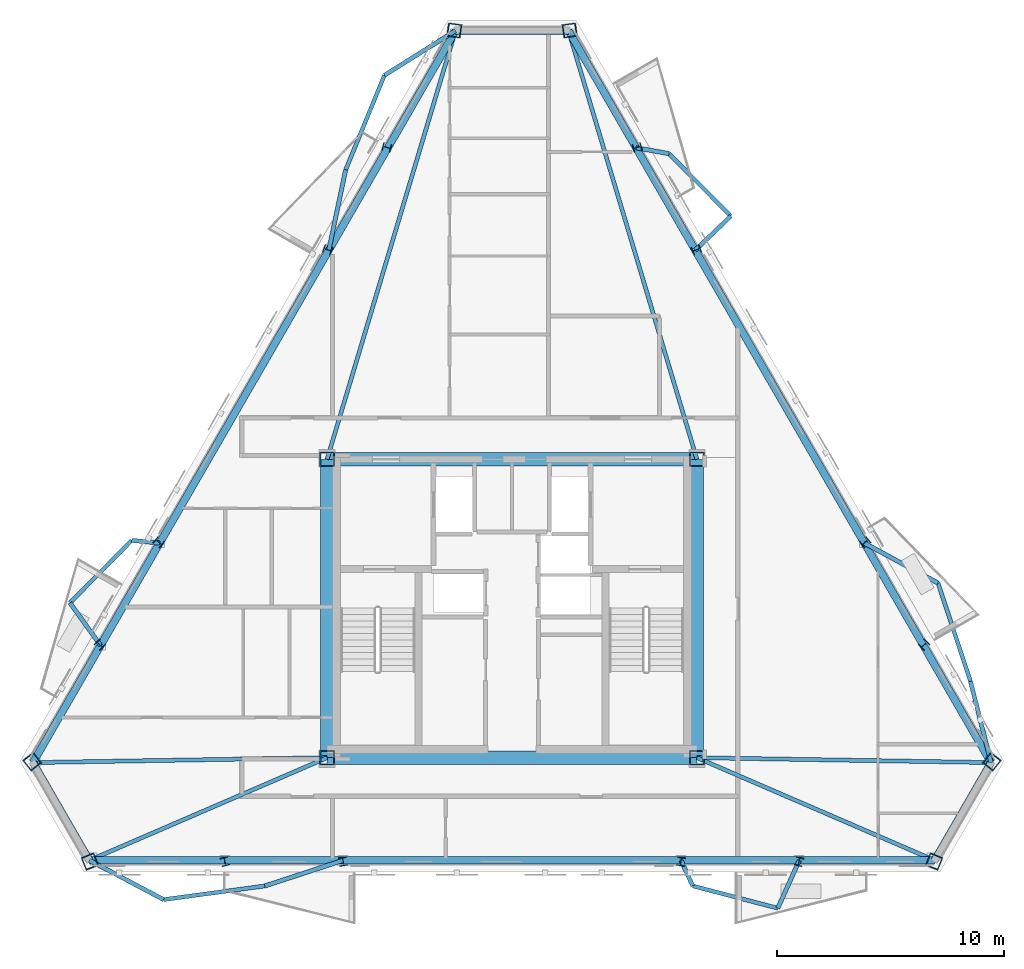
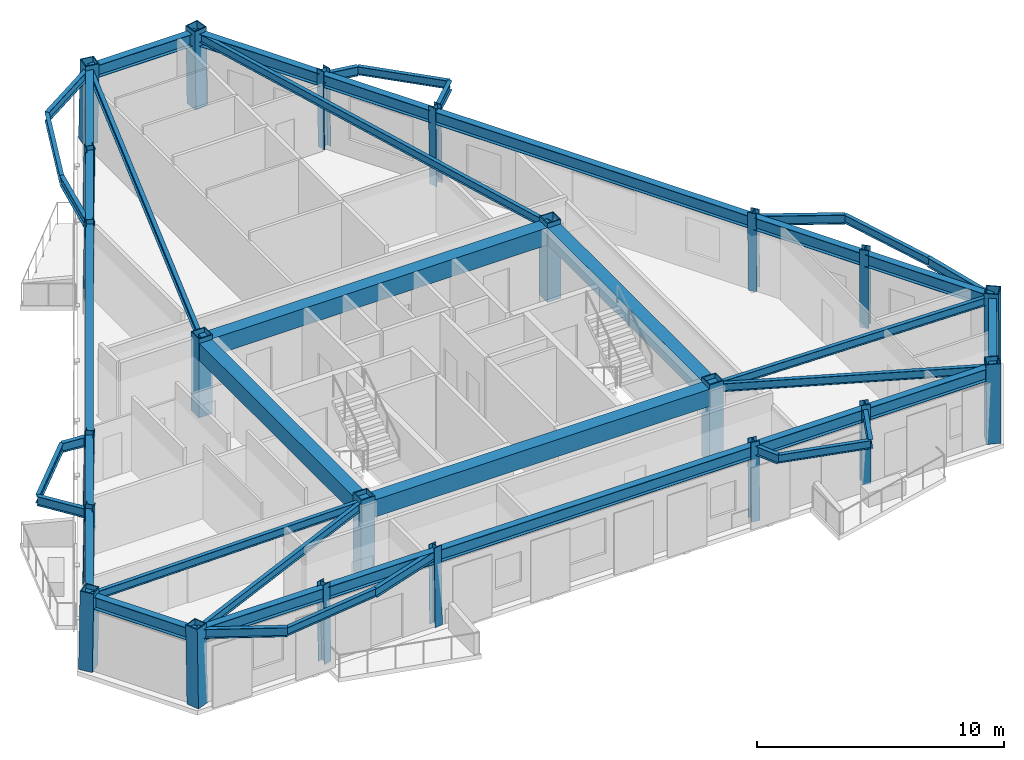
# One storey, part 1 of 9: 46 beams, 22 columns.
"""IFC4 building model written with IfcOpenShell, lengths in metres."""

from ifc_helpers import new_model, si_unit, direction, frame, origin, origin_2d, place, context, subcontext, project, spatial, rectangle, hollow_rectangle, i_section, extrude, material, material_profile, profile_set, type_object, element, save


model = new_model("IFC4")

# Units and contexts
model_context = context("Model", 3, precision=1e-05, world=origin(), true_north=direction((0.0, 1.0)))
body_context = subcontext(model_context, "Body", "Model", "MODEL_VIEW")
ifc_project = project(units=[si_unit("LENGTHUNIT", "METRE"), si_unit("AREAUNIT", "SQUARE_METRE"), si_unit("VOLUMEUNIT", "CUBIC_METRE"), si_unit("PLANEANGLEUNIT", "RADIAN"), si_unit("MASSUNIT", "GRAM", prefix="KILO")], contexts=[model_context])

# Site, building, storey
site_placement = place(None, origin())
site = spatial("IfcSite", under=ifc_project, at=site_placement, CompositionType="ELEMENT")
building_placement = place(site_placement, origin())
building = spatial("IfcBuilding", under=site, at=building_placement, Name="Oramaril Tower", CompositionType="ELEMENT")
storey_placement = place(building_placement, frame((0.0, 0.0, 261.60009765625)))
storey = spatial("IfcBuildingStorey", under=building, at=storey_placement, Name="L69", CompositionType="ELEMENT", Elevation=261.60009765625)

# Columns
ifc_material_1 = material(Name="Steel ASTM A572 Gr 50", Category="steel")
ifc_material_profile_1 = material_profile(ifc_material_1, hollow_rectangle(XDim=0.64990234375, YDim=0.64990234375, WallThickness=0.050048828125, at=origin_2d()), Name="BOX650X650X50")
ifc_profile_set_1 = profile_set([ifc_material_profile_1], Name="Steel ASTM A572 Gr 50")
column_type_1 = type_object("IfcColumnType", Name="CT-CC5", PredefinedType="COLUMN", material=ifc_profile_set_1)
for number, where, z_axis, x_axis, name in (
    (1, (29.35009765625, 11.0, 0.0), (0.0, 0.0, 1.0), (1.0, 0.0, 0.0), "L69 Core Column CC-1"),
    (2, (45.64990234375, 11.0, 0.0), (0.0, 0.0, 1.0), (1.0, 0.0, 0.0), "L69 Core Column CC-2"),
    (3, (45.64990234375, 24.14990234375, 0.0), (0.0, 0.0, 1.0), (1.0, 0.0, 0.0), "L69 Core Column CC-3"),
    (4, (29.35009765625, 24.14990234375, 0.0), (0.0, 0.0, 1.0), (1.0, 0.0, 0.0), "L69 Core Column CC-4"),
):
    element("IfcColumn", number, at=place(storey_placement, frame(where, z_axis=z_axis, x_axis=x_axis)), inside=storey, type_object=column_type_1, Name=name, PredefinedType="COLUMN", context=body_context, shape_type="SweptSolid", body=[
        extrude(hollow_rectangle(XDim=0.64990234375, YDim=0.64990234375, WallThickness=0.050048828125, at=origin_2d()), origin(), (0.0, 0.0, 1.0), 3.89990234375),
    ])
ifc_material_2 = material(Name="Steel ASTM A572 Gr 50", Category="steel")
ifc_material_profile_2 = material_profile(ifc_material_2, hollow_rectangle(XDim=0.60009765625, YDim=0.60009765625, WallThickness=0.044921875, at=origin_2d()), Name="BOX600X600X45")
ifc_profile_set_2 = profile_set([ifc_material_profile_2], Name="Steel ASTM A572 Gr 50")
column_type_2 = type_object("IfcColumnType", Name="CT-TC5", PredefinedType="COLUMN", material=ifc_profile_set_2)
for number, where, z_axis, x_axis, name in (
    (5, (16.347900390625, 10.834716796875, 0.00439453125), (0.010351171799, -0.013111484278, 0.999860461376), (0.784882765533, 0.619644288579, 0.0), "L69 Tube Column TC-01"),
    (6, (18.89990234375, 6.414306640625, 0.00439453125), (-0.006147966261, 0.015558118701, 0.999860063936), (-0.930020344418, -0.367508039326, 0.0), "L69 Tube Column TC-02"),
    (7, (56.10009765625, 6.414306640625, 0.00439453125), (0.006147966261, 0.015558118701, 0.999860063936), (-0.930020344418, 0.367508039326, 0.0), "L69 Tube Column TC-03"),
    (8, (58.652099609375, 10.834716796875, 0.00439453125), (-0.010351171799, -0.013111484278, 0.999860461376), (0.784882765533, -0.619644288579, 0.0), "L69 Tube Column TC-04"),
    (9, (40.052001953125, 43.05078125, 0.00439453125), (-0.016499150016, -0.002383907607, 0.999861037861), (0.143001721329, -0.989722439726, 0.0), "L69 Tube Column TC-05"),
    (10, (34.947998046875, 43.05078125, 0.00439453125), (0.016499150016, -0.002383907607, 0.999861037861), (0.143001721329, 0.989722439726, 0.0), "L69 Tube Column TC-06"),
):
    element("IfcColumn", number, at=place(storey_placement, frame(where, z_axis=z_axis, x_axis=x_axis)), inside=storey, type_object=column_type_2, Name=name, PredefinedType="COLUMN", context=body_context, shape_type="SweptSolid", body=[
        extrude(hollow_rectangle(XDim=0.60009765625, YDim=0.60009765625, WallThickness=0.044921875, at=origin_2d()), origin(), (0.0, 0.0, 1.0), 3.8916015625),
    ])
ifc_material_3 = material(Name="Steel ASTM A572 Gr 50", Category="steel")
ifc_material_profile_3 = material_profile(ifc_material_3, i_section(OverallWidth=0.373046875, OverallDepth=0.373046875, WebThickness=0.016357421875, FlangeThickness=0.026123046875, at=origin_2d()), Name="W14X132")
ifc_profile_set_3 = profile_set([ifc_material_profile_3], Name="Steel ASTM A572 Gr 50")
column_type_3 = type_object("IfcColumnType", Name="CT-TF5", PredefinedType="COLUMN", material=ifc_profile_set_3)
for number, where, z_axis, x_axis, name in (
    (11, (24.85205078125, 6.414306640625, 0.00439453125), (-0.00420324373, 0.0155582753, 0.999870127973), (-0.965389887036, -0.260810977546, 0.0), "L69 Tube Column TC-07"),
    (12, (30.06005859375, 6.414306640625, 0.00439453125), (-0.002509413508, 0.015558363751, 0.999875812369), (-0.987241120713, -0.159232438825, 0.0), "L69 Tube Column TC-08"),
    (13, (44.93994140625, 6.414306640625, 0.00439453125), (0.002509413508, 0.015558363751, 0.999875812369), (-0.987241120713, 0.159232438825, 0.0), "L69 Tube Column TC-09"),
    (14, (50.14794921875, 6.414306640625, 0.00439453125), (0.00420324373, 0.0155582753, 0.999870127973), (-0.965389887036, 0.260810977546, 0.0), "L69 Tube Column TC-10"),
    (15, (55.676025390625, 15.9892578125, 0.00439453125), (-0.011355033983, -0.011417768978, 0.999870340472), (0.709052043245, -0.705156152898, 0.0), "L69 Tube Column TC-11"),
    (16, (53.072021484375, 20.49951171875, 0.00439453125), (-0.012170667586, -0.009912193189, 0.99987680405), (0.631495005912, -0.775379943968, 0.0), "L69 Tube Column TC-12"),
    (17, (45.632080078125, 33.385986328125, 0.00439453125), (-0.014680081359, -0.005583449748, 0.999876652543), (0.355496972179, -0.934677432471, 0.0), "L69 Tube Column TC-13"),
    (18, (43.028076171875, 37.896240234375, 0.00439453125), (-0.015558283383, -0.004077775887, 0.999870647415), (0.253533203615, -0.967326684562, 0.0), "L69 Tube Column TC-14"),
    (19, (31.971923828125, 37.896240234375, 0.00439453125), (0.015558283383, -0.004077775887, 0.999870647415), (0.253533203615, 0.967326684562, 0.0), "L69 Tube Column TC-15"),
    (20, (29.367919921875, 33.385986328125, 0.00439453125), (0.014680081359, -0.005583449748, 0.999876652543), (0.355496972179, 0.934677432471, 0.0), "L69 Tube Column TC-16"),
    (21, (21.927978515625, 20.49951171875, 0.00439453125), (0.012170667586, -0.009912193189, 0.99987680405), (0.631495005912, 0.775379943968, 0.0), "L69 Tube Column TC-17"),
    (22, (19.323974609375, 15.9892578125, 0.00439453125), (0.011355033983, -0.011417768978, 0.999870340472), (0.709052043245, 0.705156152898, 0.0), "L69 Tube Column TC-18"),
):
    element("IfcColumn", number, at=place(storey_placement, frame(where, z_axis=z_axis, x_axis=x_axis)), inside=storey, type_object=column_type_3, Name=name, PredefinedType="COLUMN", context=body_context, shape_type="SweptSolid", body=[
        extrude(i_section(OverallWidth=0.373046875, OverallDepth=0.373046875, WebThickness=0.016357421875, FlangeThickness=0.026123046875, at=origin_2d()), origin(), (0.0, 0.0, 1.0), 3.8916015625),
    ])

# Beams
ifc_material_4 = material(Name="Steel ASTM A572 Gr 50", Category="steel")
ifc_material_profile_4 = material_profile(ifc_material_4, i_section(OverallWidth=0.19091796875, OverallDepth=0.45703125, WebThickness=0.009033203125, FlangeThickness=0.014404296875, at=origin_2d()), Name="W18X50")
ifc_profile_set_4 = profile_set([ifc_material_profile_4], Name="Steel ASTM A572 Gr 50")
beam_type_1 = type_object("IfcBeamType", Name="BT-BB1", PredefinedType="BEAM", material=ifc_profile_set_4)
beam_1_placement = place(storey_placement, frame((18.8759765625, 6.474853515625, 3.451416015625), z_axis=(0.884062224735, -0.467369214644, 0.0), x_axis=(0.467369214644, 0.884062224735, 0.0)))
element("IfcBeam", 23, at=beam_1_placement, inside=storey, type_object=beam_type_1, Name="L69 Balcony Column-Framed Cantilever 01.1", PredefinedType="BEAM", context=body_context, shape_type="SweptSolid", body=[
    extrude(i_section(OverallWidth=0.19091796875, OverallDepth=0.45703125, WebThickness=0.009033203125, FlangeThickness=0.014404296875, at=origin_2d()), origin(), (0.0, 0.0, 1.0), 3.699951171875),
])
beam_2_placement = place(storey_placement, frame((30.05029296875, 6.474853515625, 3.451416015625), z_axis=(-0.950281526869, -0.311392067484, 0.0), x_axis=(0.311392067484, -0.950281526869, 0.0)))
element("IfcBeam", 24, at=beam_2_placement, inside=storey, type_object=beam_type_1, Name="L69 Balcony Column-Framed Cantilever 01.2", PredefinedType="BEAM", context=body_context, shape_type="SweptSolid", body=[
    extrude(i_section(OverallWidth=0.19091796875, OverallDepth=0.45703125, WebThickness=0.009033203125, FlangeThickness=0.014404296875, at=origin_2d()), origin(), (0.0, 0.0, 1.0), 3.623046875),
])
beam_3_placement = place(storey_placement, frame((44.94970703125, 6.474853515625, 3.451416015625), z_axis=(0.417311450088, -0.908763530092, 0.0), x_axis=(0.908763530092, 0.417311450088, 0.0)))
element("IfcBeam", 25, at=beam_3_placement, inside=storey, type_object=beam_type_1, Name="L69 Balcony Column-Framed Cantilever 02.1", PredefinedType="BEAM", context=body_context, shape_type="SweptSolid", body=[
    extrude(i_section(OverallWidth=0.19091796875, OverallDepth=0.45703125, WebThickness=0.009033203125, FlangeThickness=0.014404296875, at=origin_2d()), origin(), (0.0, 0.0, 1.0), 1.241455078125),
])
beam_4_placement = place(storey_placement, frame((50.164306640625, 6.474853515625, 3.451416015625), z_axis=(-0.411790298986, -0.911278634481, 0.0), x_axis=(0.911278634481, -0.411790298986, 0.0)))
element("IfcBeam", 26, at=beam_4_placement, inside=storey, type_object=beam_type_1, Name="L69 Balcony Column-Framed Cantilever 02.2", PredefinedType="BEAM", context=body_context, shape_type="SweptSolid", body=[
    extrude(i_section(OverallWidth=0.19091796875, OverallDepth=0.45703125, WebThickness=0.009033203125, FlangeThickness=0.014404296875, at=origin_2d()), origin(), (0.0, 0.0, 1.0), 2.3134765625),
])
for number, where, z_axis, x_axis, name in (
    (27, (58.61181640625, 10.78369140625, 3.451416015625), (-0.245329243552, 0.969439818791, 0.0), (-0.969439818791, -0.245329243552, 0.0), "L69 Balcony Column-Framed Cantilever 03.1"),
    (28, (53.024658203125, 20.4609375, 3.451416015625), (0.878608259233, -0.477543219832, 0.0), (0.477543219832, 0.878608259233, 0.0), "L69 Balcony Column-Framed Cantilever 03.2"),
):
    element("IfcBeam", number, at=place(storey_placement, frame(where, z_axis=z_axis, x_axis=x_axis)), inside=storey, type_object=beam_type_1, Name=name, PredefinedType="BEAM", context=body_context, shape_type="SweptSolid", body=[
        extrude(i_section(OverallWidth=0.19091796875, OverallDepth=0.45703125, WebThickness=0.009033203125, FlangeThickness=0.014404296875, at=origin_2d()), origin(), (0.0, 0.0, 1.0), 3.699951171875),
    ])
beam_5_placement = place(storey_placement, frame((45.574951171875, 33.3642578125, 3.451416015625), z_axis=(0.721742346463, 0.692161820186, 0.0), x_axis=(-0.692161820186, 0.721742346463, 0.0)))
element("IfcBeam", 29, at=beam_5_placement, inside=storey, type_object=beam_type_1, Name="L69 Balcony Column-Framed Cantilever 04.1", PredefinedType="BEAM", context=body_context, shape_type="SweptSolid", body=[
    extrude(i_section(OverallWidth=0.19091796875, OverallDepth=0.45703125, WebThickness=0.009033203125, FlangeThickness=0.014404296875, at=origin_2d()), origin(), (0.0, 0.0, 1.0), 2.170654296875),
])
beam_6_placement = place(storey_placement, frame((42.967529296875, 37.88037109375, 3.451416015625), z_axis=(0.98425646006, -0.17674620457, 0.0), x_axis=(0.17674620457, 0.98425646006, 0.0)))
element("IfcBeam", 30, at=beam_6_placement, inside=storey, type_object=beam_type_1, Name="L69 Balcony Column-Framed Cantilever 04.2", PredefinedType="BEAM", context=body_context, shape_type="SweptSolid", body=[
    extrude(i_section(OverallWidth=0.19091796875, OverallDepth=0.45703125, WebThickness=0.009033203125, FlangeThickness=0.014404296875, at=origin_2d()), origin(), (0.0, 0.0, 1.0), 1.4765625),
])
beam_7_placement = place(storey_placement, frame((35.01220703125, 43.04150390625, 3.451416015625), z_axis=(-0.846798752878, -0.531913406604, 0.0), x_axis=(0.531913406604, -0.846798752878, 0.0)))
element("IfcBeam", 31, at=beam_7_placement, inside=storey, type_object=beam_type_1, Name="L69 Balcony Column-Framed Cantilever 05.1", PredefinedType="BEAM", context=body_context, shape_type="SweptSolid", body=[
    extrude(i_section(OverallWidth=0.19091796875, OverallDepth=0.45703125, WebThickness=0.009033203125, FlangeThickness=0.014404296875, at=origin_2d()), origin(), (0.0, 0.0, 1.0), 3.699951171875),
])
beam_8_placement = place(storey_placement, frame((29.425048828125, 33.3642578125, 3.451416015625), z_axis=(0.205528206087, 0.97865119246, 0.0), x_axis=(-0.97865119246, 0.205528206087, 0.0)))
element("IfcBeam", 32, at=beam_8_placement, inside=storey, type_object=beam_type_1, Name="L69 Balcony Column-Framed Cantilever 05.2", PredefinedType="BEAM", context=body_context, shape_type="SweptSolid", body=[
    extrude(i_section(OverallWidth=0.19091796875, OverallDepth=0.45703125, WebThickness=0.009033203125, FlangeThickness=0.014404296875, at=origin_2d()), origin(), (0.0, 0.0, 1.0), 3.623046875),
])
beam_9_placement = place(storey_placement, frame((21.975341796875, 20.4609375, 3.451416015625), z_axis=(-0.995662740951, 0.093036048295, 0.0), x_axis=(-0.093036048295, -0.995662740951, 0.0)))
element("IfcBeam", 33, at=beam_9_placement, inside=storey, type_object=beam_type_1, Name="L69 Balcony Column-Framed Cantilever 06.1", PredefinedType="BEAM", context=body_context, shape_type="SweptSolid", body=[
    extrude(i_section(OverallWidth=0.19091796875, OverallDepth=0.45703125, WebThickness=0.009033203125, FlangeThickness=0.014404296875, at=origin_2d()), origin(), (0.0, 0.0, 1.0), 1.2412109375),
])
beam_10_placement = place(storey_placement, frame((19.3681640625, 15.94482421875, 3.451416015625), z_axis=(-0.583272847114, 0.81227629894, 0.0), x_axis=(-0.81227629894, -0.583272847114, 0.0)))
element("IfcBeam", 34, at=beam_10_placement, inside=storey, type_object=beam_type_1, Name="L69 Balcony Column-Framed Cantilever 06.2", PredefinedType="BEAM", context=body_context, shape_type="SweptSolid", body=[
    extrude(i_section(OverallWidth=0.19091796875, OverallDepth=0.45703125, WebThickness=0.009033203125, FlangeThickness=0.014404296875, at=origin_2d()), origin(), (0.0, 0.0, 1.0), 2.3134765625),
])
ifc_material_5 = material(Name="Concrete C50/60", Category="concrete")
ifc_material_profile_5 = material_profile(ifc_material_5, rectangle(XDim=0.60009765625, YDim=0.85009765625, at=origin_2d()), Name="CB600X850")
ifc_profile_set_5 = profile_set([ifc_material_profile_5], Name="Concrete C50/60")
beam_type_2 = type_object("IfcBeamType", Name="BT-CB2", PredefinedType="BEAM", material=ifc_profile_set_5)
beam_11_placement = place(storey_placement, frame((29.35009765625, 11.0, 3.2548828125), z_axis=(1.0, 0.0, 0.0), x_axis=(0.0, 1.0, 0.0)))
element("IfcBeam", 35, at=beam_11_placement, inside=storey, type_object=beam_type_2, Name="L69 Core Header Beam CB-1", PredefinedType="BEAM", context=body_context, shape_type="SweptSolid", body=[
    extrude(rectangle(XDim=0.60009765625, YDim=0.85009765625, at=origin_2d()), origin(), (0.0, 0.0, 1.0), 16.2998046875),
])
beam_12_placement = place(storey_placement, frame((45.64990234375, 11.0, 3.2548828125), z_axis=(0.0, 1.0, 0.0), x_axis=(-1.0, 0.0, 0.0)))
element("IfcBeam", 36, at=beam_12_placement, inside=storey, type_object=beam_type_2, Name="L69 Core Header Beam CB-2", PredefinedType="BEAM", context=body_context, shape_type="SweptSolid", body=[
    extrude(rectangle(XDim=0.60009765625, YDim=0.85009765625, at=origin_2d()), origin(), (0.0, 0.0, 1.0), 13.14990234375),
])
beam_13_placement = place(storey_placement, frame((45.64990234375, 24.14990234375, 3.2548828125), z_axis=(-1.0, 0.0, 0.0), x_axis=(0.0, -1.0, 0.0)))
element("IfcBeam", 37, at=beam_13_placement, inside=storey, type_object=beam_type_2, Name="L69 Core Header Beam CB-3", PredefinedType="BEAM", context=body_context, shape_type="SweptSolid", body=[
    extrude(rectangle(XDim=0.60009765625, YDim=0.85009765625, at=origin_2d()), origin(), (0.0, 0.0, 1.0), 16.2998046875),
])
beam_14_placement = place(storey_placement, frame((29.35009765625, 24.14990234375, 3.2548828125), z_axis=(0.0, -1.0, 0.0), x_axis=(1.0, 0.0, 0.0)))
element("IfcBeam", 38, at=beam_14_placement, inside=storey, type_object=beam_type_2, Name="L69 Core Header Beam CB-4", PredefinedType="BEAM", context=body_context, shape_type="SweptSolid", body=[
    extrude(rectangle(XDim=0.60009765625, YDim=0.85009765625, at=origin_2d()), origin(), (0.0, 0.0, 1.0), 13.14990234375),
])
ifc_material_6 = material(Name="Steel ASTM A572 Gr 50", Category="steel")
ifc_material_profile_6 = material_profile(ifc_material_6, i_section(OverallWidth=0.177978515625, OverallDepth=0.404052734375, WebThickness=0.007568359375, FlangeThickness=0.010986328125, at=origin_2d()), Name="W16X36")
ifc_profile_set_6 = profile_set([ifc_material_profile_6], Name="Steel ASTM A572 Gr 50")
beam_type_3 = type_object("IfcBeamType", Name="BT-SB1", PredefinedType="BEAM", material=ifc_profile_set_6)
beam_15_placement = place(storey_placement, frame((29.35009765625, 11.0, 3.477783203125), z_axis=(-0.999860784184, -0.016685690025, 0.0), x_axis=(0.016685690025, -0.999860784184, 0.0)))
element("IfcBeam", 39, at=beam_15_placement, inside=storey, type_object=beam_type_3, Name="L69 Radial Primary Beam RB-01", PredefinedType="BEAM", context=body_context, shape_type="SweptSolid", body=[
    extrude(i_section(OverallWidth=0.177978515625, OverallDepth=0.404052734375, WebThickness=0.007568359375, FlangeThickness=0.010986328125, at=origin_2d()), origin(), (0.0, 0.0, 1.0), 12.963623046875),
])
for number, where, z_axis, x_axis, name in (
    (40, (29.35009765625, 11.0, 3.477783203125), (-0.917991187975, -0.39660078013, 0.0), (0.39660078013, -0.917991187975, 0.0), "L69 Radial Primary Beam RB-02"),
    (41, (45.64990234375, 11.0, 3.477783203125), (0.917991187975, -0.39660078013, 0.0), (0.39660078013, 0.917991187975, 0.0), "L69 Radial Primary Beam RB-03"),
):
    element("IfcBeam", number, at=place(storey_placement, frame(where, z_axis=z_axis, x_axis=x_axis)), inside=storey, type_object=beam_type_3, Name=name, PredefinedType="BEAM", context=body_context, shape_type="SweptSolid", body=[
        extrude(i_section(OverallWidth=0.177978515625, OverallDepth=0.404052734375, WebThickness=0.007568359375, FlangeThickness=0.010986328125, at=origin_2d()), origin(), (0.0, 0.0, 1.0), 11.409912109375),
    ])
beam_16_placement = place(storey_placement, frame((45.64990234375, 11.0, 3.477783203125), z_axis=(0.999860784184, -0.016685690025, 0.0), x_axis=(0.016685690025, 0.999860784184, 0.0)))
element("IfcBeam", 42, at=beam_16_placement, inside=storey, type_object=beam_type_3, Name="L69 Radial Primary Beam RB-04", PredefinedType="BEAM", context=body_context, shape_type="SweptSolid", body=[
    extrude(i_section(OverallWidth=0.177978515625, OverallDepth=0.404052734375, WebThickness=0.007568359375, FlangeThickness=0.010986328125, at=origin_2d()), origin(), (0.0, 0.0, 1.0), 12.963623046875),
])
for number, where, z_axis, x_axis, name in (
    (43, (45.64990234375, 24.14990234375, 3.477783203125), (-0.287098020713, 0.957901209156, 0.0), (-0.957901209156, -0.287098020713, 0.0), "L69 Radial Primary Beam RB-05"),
    (44, (29.35009765625, 24.14990234375, 3.477783203125), (0.287098020713, 0.957901209156, 0.0), (-0.957901209156, 0.287098020713, 0.0), "L69 Radial Primary Beam RB-06"),
):
    element("IfcBeam", number, at=place(storey_placement, frame(where, z_axis=z_axis, x_axis=x_axis)), inside=storey, type_object=beam_type_3, Name=name, PredefinedType="BEAM", context=body_context, shape_type="SweptSolid", body=[
        extrude(i_section(OverallWidth=0.177978515625, OverallDepth=0.404052734375, WebThickness=0.007568359375, FlangeThickness=0.010986328125, at=origin_2d()), origin(), (0.0, 0.0, 1.0), 19.721923828125),
    ])
beam_17_placement = place(storey_placement, frame((22.14697265625, 4.74560546875, 3.477783203125), z_axis=(0.99104217006, 0.133549306113, 0.0), x_axis=(-0.133549306113, 0.99104217006, 0.0)))
element("IfcBeam", 45, at=beam_17_placement, inside=storey, type_object=beam_type_3, Name="L69 Balcony Edge Tie Beam 01", PredefinedType="BEAM", context=body_context, shape_type="SweptSolid", body=[
    extrude(i_section(OverallWidth=0.177978515625, OverallDepth=0.404052734375, WebThickness=0.007568359375, FlangeThickness=0.010986328125, at=origin_2d()), origin(), (0.0, 0.0, 1.0), 4.500732421875),
])
beam_18_placement = place(storey_placement, frame((45.4677734375, 5.3466796875, 3.477783203125), z_axis=(0.967407922874, -0.253223045479, 0.0), x_axis=(0.253223045479, 0.967407922874, 0.0)))
element("IfcBeam", 46, at=beam_18_placement, inside=storey, type_object=beam_type_3, Name="L69 Balcony Edge Tie Beam 02", PredefinedType="BEAM", context=body_context, shape_type="SweptSolid", body=[
    extrude(i_section(OverallWidth=0.177978515625, OverallDepth=0.404052734375, WebThickness=0.007568359375, FlangeThickness=0.010986328125, at=origin_2d()), origin(), (0.0, 0.0, 1.0), 3.8701171875),
])
beam_19_placement = place(storey_placement, frame((57.7041015625, 14.37060546875, 3.477783203125), z_axis=(-0.313765689482, 0.949500443446, 0.0), x_axis=(-0.949500443446, -0.313765689482, 0.0)))
element("IfcBeam", 47, at=beam_19_placement, inside=storey, type_object=beam_type_3, Name="L69 Balcony Edge Tie Beam 03", PredefinedType="BEAM", context=body_context, shape_type="SweptSolid", body=[
    extrude(i_section(OverallWidth=0.177978515625, OverallDepth=0.404052734375, WebThickness=0.007568359375, FlangeThickness=0.010986328125, at=origin_2d()), origin(), (0.0, 0.0, 1.0), 4.553466796875),
])
beam_20_placement = place(storey_placement, frame((47.1416015625, 34.86669921875, 3.477783203125), z_axis=(-0.702962973102, 0.711226446673, 0.0), x_axis=(-0.711226446673, -0.702962973102, 0.0)))
element("IfcBeam", 48, at=beam_20_placement, inside=storey, type_object=beam_type_3, Name="L69 Balcony Edge Tie Beam 04", PredefinedType="BEAM", context=body_context, shape_type="SweptSolid", body=[
    extrude(i_section(OverallWidth=0.177978515625, OverallDepth=0.404052734375, WebThickness=0.007568359375, FlangeThickness=0.010986328125, at=origin_2d()), origin(), (0.0, 0.0, 1.0), 3.870361328125),
])
beam_21_placement = place(storey_placement, frame((31.879150390625, 41.073486328125, 3.477783203125), z_axis=(-0.379811104954, -0.925064065108, 0.0), x_axis=(0.925064065108, -0.379811104954, 0.0)))
element("IfcBeam", 49, at=beam_21_placement, inside=storey, type_object=beam_type_3, Name="L69 Balcony Edge Tie Beam 05", PredefinedType="BEAM", context=body_context, shape_type="SweptSolid", body=[
    extrude(i_section(OverallWidth=0.177978515625, OverallDepth=0.404052734375, WebThickness=0.007568359375, FlangeThickness=0.010986328125, at=origin_2d()), origin(), (0.0, 0.0, 1.0), 4.500732421875),
])
beam_22_placement = place(storey_placement, frame((20.739501953125, 20.576416015625, 3.477783203125), z_axis=(-0.702994511648, -0.71119527318, 0.0), x_axis=(0.71119527318, -0.702994511648, 0.0)))
element("IfcBeam", 50, at=beam_22_placement, inside=storey, type_object=beam_type_3, Name="L69 Balcony Edge Tie Beam 06", PredefinedType="BEAM", context=body_context, shape_type="SweptSolid", body=[
    extrude(i_section(OverallWidth=0.177978515625, OverallDepth=0.404052734375, WebThickness=0.007568359375, FlangeThickness=0.010986328125, at=origin_2d()), origin(), (0.0, 0.0, 1.0), 3.8701171875),
])
ifc_material_7 = material(Name="Steel ASTM A572 Gr 50", Category="steel")
ifc_material_profile_7 = material_profile(ifc_material_7, i_section(OverallWidth=0.324951171875, OverallDepth=0.612060546875, WebThickness=0.0126953125, FlangeThickness=0.01904296875, at=origin_2d()), Name="W24X104")
ifc_profile_set_7 = profile_set([ifc_material_profile_7], Name="Steel ASTM A572 Gr 50")
beam_type_4 = type_object("IfcBeamType", Name="BT-SP5", PredefinedType="SPANDREL", material=ifc_profile_set_7)
beam_23_placement = place(storey_placement, frame((16.38818359375, 10.78369140625, 3.3740234375), z_axis=(0.500012700186, -0.866018071205, 0.0), x_axis=(0.866018071205, 0.500012700186, 0.0)))
element("IfcBeam", 51, at=beam_23_placement, inside=storey, type_object=beam_type_4, Name="L69 Perimeter Spandrel 01", PredefinedType="SPANDREL", context=body_context, shape_type="SweptSolid", body=[
    extrude(i_section(OverallWidth=0.324951171875, OverallDepth=0.612060546875, WebThickness=0.0126953125, FlangeThickness=0.01904296875, at=origin_2d()), origin(), (0.0, 0.0, 1.0), 4.975341796875),
])
beam_24_placement = place(storey_placement, frame((18.8759765625, 6.474853515625, 3.3740234375), z_axis=(1.0, 0.0, 0.0), x_axis=(0.0, 1.0, 0.0)))
element("IfcBeam", 52, at=beam_24_placement, inside=storey, type_object=beam_type_4, Name="L69 Perimeter Spandrel 02", PredefinedType="SPANDREL", context=body_context, shape_type="SweptSolid", body=[
    extrude(i_section(OverallWidth=0.324951171875, OverallDepth=0.612060546875, WebThickness=0.0126953125, FlangeThickness=0.01904296875, at=origin_2d()), origin(), (0.0, 0.0, 1.0), 5.959716796875),
])
beam_25_placement = place(storey_placement, frame((24.835693359375, 6.474853515625, 3.3740234375), z_axis=(1.0, 0.0, 0.0), x_axis=(0.0, 1.0, 0.0)))
element("IfcBeam", 53, at=beam_25_placement, inside=storey, type_object=beam_type_4, Name="L69 Perimeter Spandrel 03", PredefinedType="SPANDREL", context=body_context, shape_type="SweptSolid", body=[
    extrude(i_section(OverallWidth=0.324951171875, OverallDepth=0.612060546875, WebThickness=0.0126953125, FlangeThickness=0.01904296875, at=origin_2d()), origin(), (0.0, 0.0, 1.0), 5.214599609375),
])
beam_26_placement = place(storey_placement, frame((30.05029296875, 6.474853515625, 3.3740234375), z_axis=(1.0, 0.0, 0.0), x_axis=(0.0, 1.0, 0.0)))
element("IfcBeam", 54, at=beam_26_placement, inside=storey, type_object=beam_type_4, Name="L69 Perimeter Spandrel 04", PredefinedType="SPANDREL", context=body_context, shape_type="SweptSolid", body=[
    extrude(i_section(OverallWidth=0.324951171875, OverallDepth=0.612060546875, WebThickness=0.0126953125, FlangeThickness=0.01904296875, at=origin_2d()), origin(), (0.0, 0.0, 1.0), 14.8994140625),
])
beam_27_placement = place(storey_placement, frame((44.94970703125, 6.474853515625, 3.3740234375), z_axis=(1.0, 0.0, 0.0), x_axis=(0.0, 1.0, 0.0)))
element("IfcBeam", 55, at=beam_27_placement, inside=storey, type_object=beam_type_4, Name="L69 Perimeter Spandrel 05", PredefinedType="SPANDREL", context=body_context, shape_type="SweptSolid", body=[
    extrude(i_section(OverallWidth=0.324951171875, OverallDepth=0.612060546875, WebThickness=0.0126953125, FlangeThickness=0.01904296875, at=origin_2d()), origin(), (0.0, 0.0, 1.0), 5.214599609375),
])
beam_28_placement = place(storey_placement, frame((50.164306640625, 6.474853515625, 3.3740234375), z_axis=(1.0, 0.0, 0.0), x_axis=(0.0, 1.0, 0.0)))
element("IfcBeam", 56, at=beam_28_placement, inside=storey, type_object=beam_type_4, Name="L69 Perimeter Spandrel 06", PredefinedType="SPANDREL", context=body_context, shape_type="SweptSolid", body=[
    extrude(i_section(OverallWidth=0.324951171875, OverallDepth=0.612060546875, WebThickness=0.0126953125, FlangeThickness=0.01904296875, at=origin_2d()), origin(), (0.0, 0.0, 1.0), 5.959716796875),
])
beam_29_placement = place(storey_placement, frame((56.1240234375, 6.474853515625, 3.3740234375), z_axis=(0.500012700186, 0.866018071205, 0.0), x_axis=(-0.866018071205, 0.500012700186, 0.0)))
element("IfcBeam", 57, at=beam_29_placement, inside=storey, type_object=beam_type_4, Name="L69 Perimeter Spandrel 07", PredefinedType="SPANDREL", context=body_context, shape_type="SweptSolid", body=[
    extrude(i_section(OverallWidth=0.324951171875, OverallDepth=0.612060546875, WebThickness=0.0126953125, FlangeThickness=0.01904296875, at=origin_2d()), origin(), (0.0, 0.0, 1.0), 4.975341796875),
])
beam_30_placement = place(storey_placement, frame((58.61181640625, 10.78369140625, 3.3740234375), z_axis=(-0.500025049464, 0.866010940986, 0.0), x_axis=(-0.866010940986, -0.500025049464, 0.0)))
element("IfcBeam", 58, at=beam_30_placement, inside=storey, type_object=beam_type_4, Name="L69 Perimeter Spandrel 08", PredefinedType="SPANDREL", context=body_context, shape_type="SweptSolid", body=[
    extrude(i_section(OverallWidth=0.324951171875, OverallDepth=0.612060546875, WebThickness=0.0126953125, FlangeThickness=0.01904296875, at=origin_2d()), origin(), (0.0, 0.0, 1.0), 5.959716796875),
])
beam_31_placement = place(storey_placement, frame((55.6318359375, 15.94482421875, 3.3740234375), z_axis=(-0.499971021177, 0.866042134069, 0.0), x_axis=(-0.866042134069, -0.499971021177, 0.0)))
element("IfcBeam", 59, at=beam_31_placement, inside=storey, type_object=beam_type_4, Name="L69 Perimeter Spandrel 09", PredefinedType="SPANDREL", context=body_context, shape_type="SweptSolid", body=[
    extrude(i_section(OverallWidth=0.324951171875, OverallDepth=0.612060546875, WebThickness=0.0126953125, FlangeThickness=0.01904296875, at=origin_2d()), origin(), (0.0, 0.0, 1.0), 5.214599609375),
])
beam_32_placement = place(storey_placement, frame((53.024658203125, 20.4609375, 3.3740234375), z_axis=(-0.499998569178, 0.866026229868, 0.0), x_axis=(-0.866026229868, -0.499998569178, 0.0)))
element("IfcBeam", 60, at=beam_32_placement, inside=storey, type_object=beam_type_4, Name="L69 Perimeter Spandrel 10", PredefinedType="SPANDREL", context=body_context, shape_type="SweptSolid", body=[
    extrude(i_section(OverallWidth=0.324951171875, OverallDepth=0.612060546875, WebThickness=0.0126953125, FlangeThickness=0.01904296875, at=origin_2d()), origin(), (0.0, 0.0, 1.0), 14.8994140625),
])
beam_33_placement = place(storey_placement, frame((45.574951171875, 33.3642578125, 3.3740234375), z_axis=(-0.500006134913, 0.866021861762, 0.0), x_axis=(-0.866021861762, -0.500006134913, 0.0)))
element("IfcBeam", 61, at=beam_33_placement, inside=storey, type_object=beam_type_4, Name="L69 Perimeter Spandrel 11", PredefinedType="SPANDREL", context=body_context, shape_type="SweptSolid", body=[
    extrude(i_section(OverallWidth=0.324951171875, OverallDepth=0.612060546875, WebThickness=0.0126953125, FlangeThickness=0.01904296875, at=origin_2d()), origin(), (0.0, 0.0, 1.0), 5.21484375),
])
beam_34_placement = place(storey_placement, frame((42.967529296875, 37.88037109375, 3.3740234375), z_axis=(-0.499994325412, 0.866028679985, 0.0), x_axis=(-0.866028679985, -0.499994325412, 0.0)))
element("IfcBeam", 62, at=beam_34_placement, inside=storey, type_object=beam_type_4, Name="L69 Perimeter Spandrel 12", PredefinedType="SPANDREL", context=body_context, shape_type="SweptSolid", body=[
    extrude(i_section(OverallWidth=0.324951171875, OverallDepth=0.612060546875, WebThickness=0.0126953125, FlangeThickness=0.01904296875, at=origin_2d()), origin(), (0.0, 0.0, 1.0), 5.95947265625),
])
beam_35_placement = place(storey_placement, frame((39.98779296875, 43.04150390625, 3.3740234375), z_axis=(-1.0, 0.0, 0.0), x_axis=(0.0, -1.0, 0.0)))
element("IfcBeam", 63, at=beam_35_placement, inside=storey, type_object=beam_type_4, Name="L69 Perimeter Spandrel 13", PredefinedType="SPANDREL", context=body_context, shape_type="SweptSolid", body=[
    extrude(i_section(OverallWidth=0.324951171875, OverallDepth=0.612060546875, WebThickness=0.0126953125, FlangeThickness=0.01904296875, at=origin_2d()), origin(), (0.0, 0.0, 1.0), 4.9755859375),
])
beam_36_placement = place(storey_placement, frame((35.01220703125, 43.04150390625, 3.3740234375), z_axis=(-0.499994325412, -0.866028679985, 0.0), x_axis=(0.866028679985, -0.499994325412, 0.0)))
element("IfcBeam", 64, at=beam_36_placement, inside=storey, type_object=beam_type_4, Name="L69 Perimeter Spandrel 14", PredefinedType="SPANDREL", context=body_context, shape_type="SweptSolid", body=[
    extrude(i_section(OverallWidth=0.324951171875, OverallDepth=0.612060546875, WebThickness=0.0126953125, FlangeThickness=0.01904296875, at=origin_2d()), origin(), (0.0, 0.0, 1.0), 5.95947265625),
])
beam_37_placement = place(storey_placement, frame((32.032470703125, 37.88037109375, 3.3740234375), z_axis=(-0.500006134913, -0.866021861762, 0.0), x_axis=(0.866021861762, -0.500006134913, 0.0)))
element("IfcBeam", 65, at=beam_37_placement, inside=storey, type_object=beam_type_4, Name="L69 Perimeter Spandrel 15", PredefinedType="SPANDREL", context=body_context, shape_type="SweptSolid", body=[
    extrude(i_section(OverallWidth=0.324951171875, OverallDepth=0.612060546875, WebThickness=0.0126953125, FlangeThickness=0.01904296875, at=origin_2d()), origin(), (0.0, 0.0, 1.0), 5.21484375),
])
beam_38_placement = place(storey_placement, frame((29.425048828125, 33.3642578125, 3.3740234375), z_axis=(-0.499998569178, -0.866026229868, 0.0), x_axis=(0.866026229868, -0.499998569178, 0.0)))
element("IfcBeam", 66, at=beam_38_placement, inside=storey, type_object=beam_type_4, Name="L69 Perimeter Spandrel 16", PredefinedType="SPANDREL", context=body_context, shape_type="SweptSolid", body=[
    extrude(i_section(OverallWidth=0.324951171875, OverallDepth=0.612060546875, WebThickness=0.0126953125, FlangeThickness=0.01904296875, at=origin_2d()), origin(), (0.0, 0.0, 1.0), 14.8994140625),
])
beam_39_placement = place(storey_placement, frame((21.975341796875, 20.4609375, 3.3740234375), z_axis=(-0.499971021177, -0.866042134069, 0.0), x_axis=(0.866042134069, -0.499971021177, 0.0)))
element("IfcBeam", 67, at=beam_39_placement, inside=storey, type_object=beam_type_4, Name="L69 Perimeter Spandrel 17", PredefinedType="SPANDREL", context=body_context, shape_type="SweptSolid", body=[
    extrude(i_section(OverallWidth=0.324951171875, OverallDepth=0.612060546875, WebThickness=0.0126953125, FlangeThickness=0.01904296875, at=origin_2d()), origin(), (0.0, 0.0, 1.0), 5.214599609375),
])
beam_40_placement = place(storey_placement, frame((19.3681640625, 15.94482421875, 3.3740234375), z_axis=(-0.500025049464, -0.866010940986, 0.0), x_axis=(0.866010940986, -0.500025049464, 0.0)))
element("IfcBeam", 68, at=beam_40_placement, inside=storey, type_object=beam_type_4, Name="L69 Perimeter Spandrel 18", PredefinedType="SPANDREL", context=body_context, shape_type="SweptSolid", body=[
    extrude(i_section(OverallWidth=0.324951171875, OverallDepth=0.612060546875, WebThickness=0.0126953125, FlangeThickness=0.01904296875, at=origin_2d()), origin(), (0.0, 0.0, 1.0), 5.959716796875),
])

save(model, "model.ifc")
